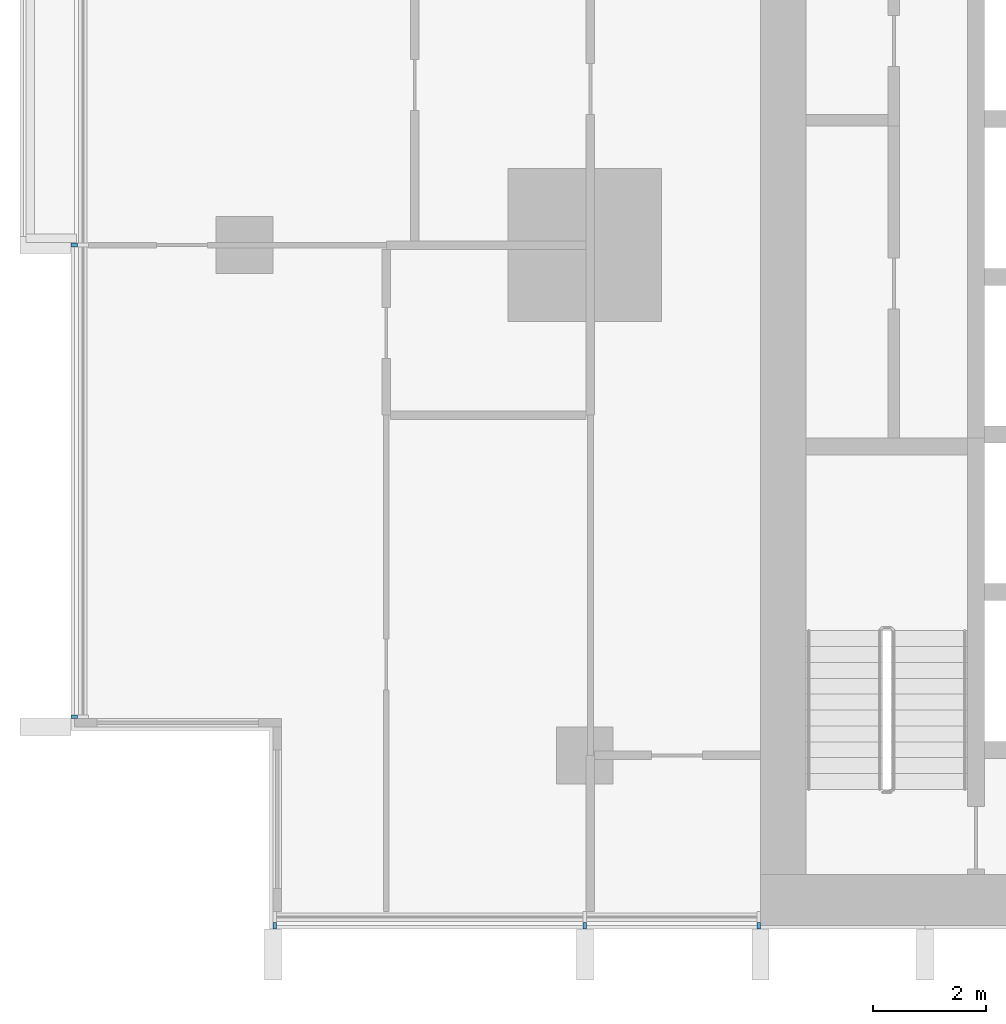
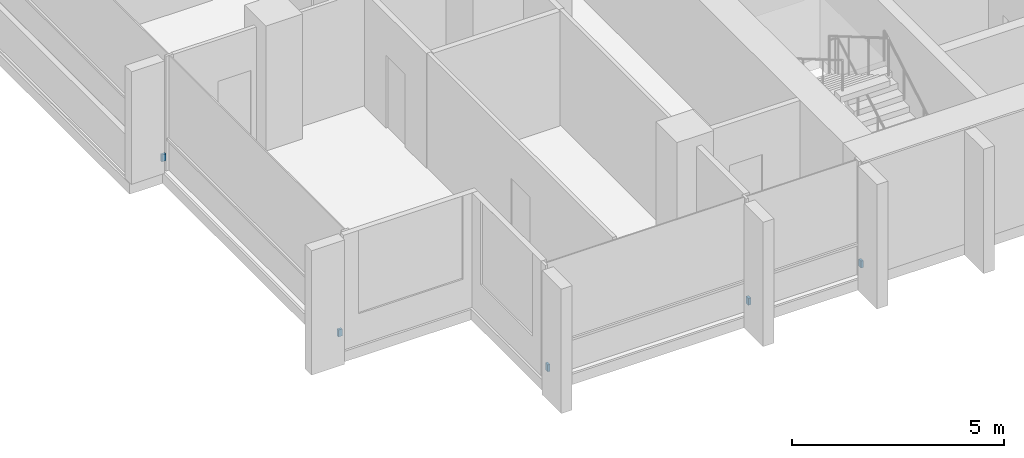
# One storey, part 14 of 18: 5 discrete accessories.
"""IFC4 building model written with IfcOpenShell, lengths in metres."""

from ifc_helpers import new_model, si_unit, direction, frame, origin, origin_2d, place, context, subcontext, project, spatial, rectangle, extrude, material, type_object, element, save


model = new_model("IFC4")

# Units and contexts
model_context = context("Model", 3, precision=1e-05, world=origin(), true_north=direction((0.0, 1.0)))
body_context = subcontext(model_context, "Body", "Model", "MODEL_VIEW")
ifc_project = project(units=[si_unit("LENGTHUNIT", "METRE"), si_unit("AREAUNIT", "SQUARE_METRE"), si_unit("VOLUMEUNIT", "CUBIC_METRE"), si_unit("PLANEANGLEUNIT", "RADIAN"), si_unit("MASSUNIT", "GRAM", prefix="KILO")], contexts=[model_context])

# Site, building, storey
site_placement = place(None, origin())
site = spatial("IfcSite", under=ifc_project, at=site_placement, CompositionType="ELEMENT")
building_placement = place(site_placement, origin())
building = spatial("IfcBuilding", under=site, at=building_placement, Name="Finial Court Residences", CompositionType="ELEMENT")
storey_placement = place(building_placement, frame((0.0, 0.0, 106.300048828125)))
storey = spatial("IfcBuildingStorey", under=building, at=storey_placement, Name="L26", CompositionType="ELEMENT", Elevation=106.300048828125)

# Discrete accessories
ifc_material = material(Name="Stainless steel 316", Category="steel")
discrete_accessory_type = type_object("IfcDiscreteAccessoryType", Name="Fin bracket, stainless steel 65 x 110 x 200", PredefinedType="BRACKET", material=ifc_material)
for number, where, z_axis, x_axis, name in (
    (1, (-21.967529296875, -25.5048828125, 0.2998046875), (0.0, 0.0, 1.0), (1.0, 0.0, 0.0), "E-L26-FIN-S16-BRK"),
    (2, (-16.5, -25.5048828125, 0.2998046875), (0.0, 0.0, 1.0), (1.0, 0.0, 0.0), "E-L26-FIN-S17-BRK"),
    (3, (-13.4326171875, -25.5048828125, 0.2998046875), (0.0, 0.0, 1.0), (1.0, 0.0, 0.0), "E-L26-FIN-S18-BRK"),
):
    element("IfcDiscreteAccessory", number, at=place(storey_placement, frame(where, z_axis=z_axis, x_axis=x_axis)), inside=storey, type_object=discrete_accessory_type, Name=name, PredefinedType="BRACKET", context=body_context, shape_type="SweptSolid", body=[
        extrude(rectangle(XDim=0.06494140625, YDim=0.110107421875, at=origin_2d()), origin(), (0.0, 0.0, 1.0), 0.199951171875),
    ])
for number, where, z_axis, x_axis, name in (
    (4, (-25.5048828125, -21.8173828125, 0.2998046875), (0.0, 0.0, 1.0), (1.0, 0.0, 0.0), "E-L26-FIN-W26-BRK"),
    (5, (-25.5048828125, -13.5, 0.2998046875), (0.0, 0.0, 1.0), (1.0, 0.0, 0.0), "E-L26-FIN-W27-BRK"),
):
    element("IfcDiscreteAccessory", number, at=place(storey_placement, frame(where, z_axis=z_axis, x_axis=x_axis)), inside=storey, type_object=discrete_accessory_type, Name=name, PredefinedType="BRACKET", context=body_context, shape_type="SweptSolid", body=[
        extrude(rectangle(XDim=0.110107421875, YDim=0.06494140625, at=origin_2d()), origin(), (0.0, 0.0, 1.0), 0.199951171875),
    ])

save(model, "model.ifc")
